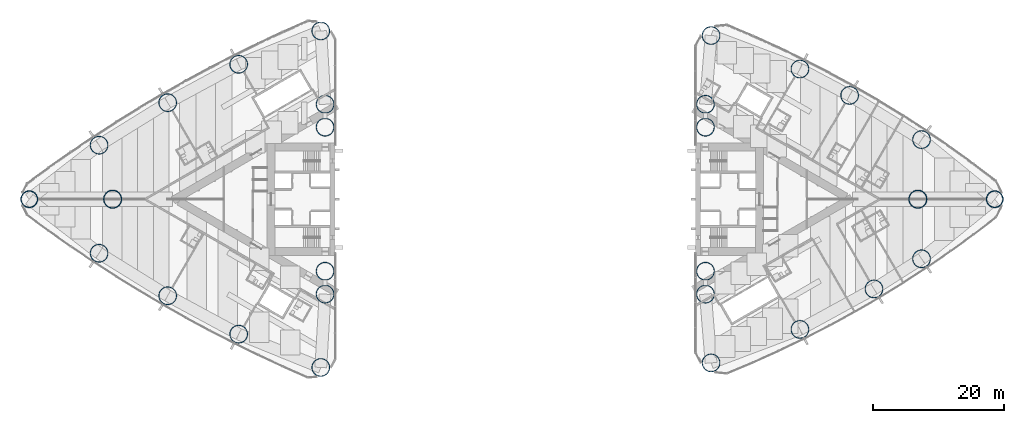
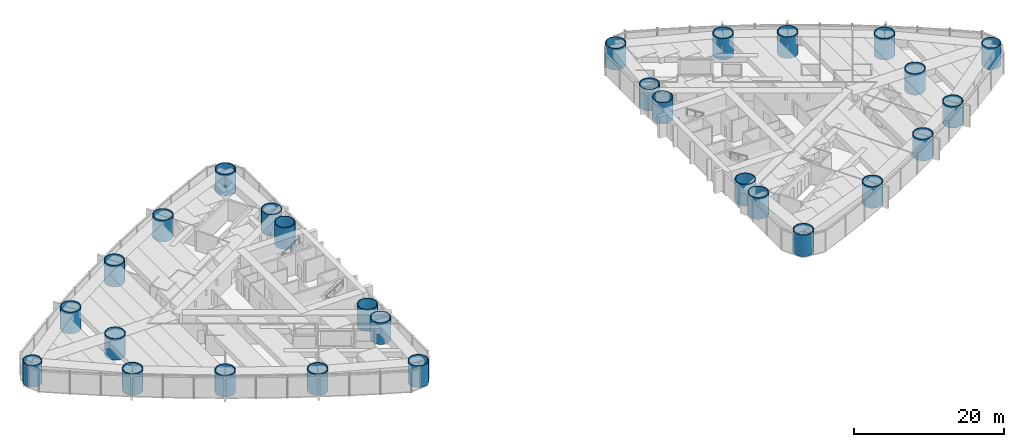
# One storey, part 1 of 19: 28 columns.
"""IFC4 building model written with IfcOpenShell, lengths in metres."""

import ifcopenshell
import ifcopenshell.guid

model = None  # the IFC model being written
_history = None  # IfcOwnerHistory: only IFC2X3 demands one
_inside = {}  # id of a spatial element -> (the spatial element, [elements in it])
_under = {}  # id of a project, library or spatial element -> (it, [spatial elements below it])
_declared = {}  # id of a project -> (the project, [libraries it declares])
_typed = {}  # id of a type object -> (the type object, [elements of that type])
_made_of = {}  # id of a material, layer set ... -> (it, [elements and type objects made of it])


def new_model(schema):
    """Start an empty IFC model of exactly this schema.

    Asked for "IFC4X3", IfcOpenShell would pick the latest addendum, in which some entities
    have other attributes; the version numbers below select the first issue.
    IFC2X3 requires an IfcOwnerHistory on every rooted entity: one is made here for all.
    """
    global model, _history
    if schema == "IFC4X3":
        model = ifcopenshell.file(schema_version=(4, 3, 0, 0))
    else:
        model = ifcopenshell.file(schema=schema)
    _inside.clear()
    _under.clear()
    _declared.clear()
    _typed.clear()
    _made_of.clear()
    _history = None
    if model.schema == "IFC2X3":
        org = make("IfcOrganization", Name="unknown")
        user = make(
            "IfcPersonAndOrganization",
            ThePerson=make("IfcPerson", FamilyName="unknown"),
            TheOrganization=org,
        )
        app = make(
            "IfcApplication",
            ApplicationDeveloper=org,
            Version="unknown",
            ApplicationFullName="unknown",
            ApplicationIdentifier="unknown",
        )
        _history = make(
            "IfcOwnerHistory",
            OwningUser=user,
            OwningApplication=app,
            ChangeAction="ADDED",
            CreationDate=0,
        )
    return model


def make(cls, **values):
    """One entity of the class cls with the attributes given. An attribute that is None is left unset."""
    return model.create_entity(
        cls, **{name: value for name, value in values.items() if value is not None}
    )


def rooted(cls, **values):
    """An entity with a GlobalId (a new one), such as an element, a storey or a relation."""
    return make(cls, GlobalId=ifcopenshell.guid.new(), OwnerHistory=_history, **values)


def si_unit(unit_type, name, prefix=None):
    """IfcSIUnit, for example si_unit("LENGTHUNIT", "METRE", prefix="MILLI")."""
    return make("IfcSIUnit", UnitType=unit_type, Prefix=prefix, Name=name)


def assignment(units):
    """IfcUnitAssignment: the units of a project."""
    return None if units is None else make("IfcUnitAssignment", Units=units)


def point(xyz):
    """IfcCartesianPoint."""
    return None if xyz is None else make("IfcCartesianPoint", Coordinates=xyz)


def direction(xyz):
    """IfcDirection."""
    return None if xyz is None else make("IfcDirection", DirectionRatios=xyz)


def frame(location, z_axis=None, x_axis=None):
    """IfcAxis2Placement3D, a coordinate frame: its origin and axes. An axis left out is left unset."""
    return make(
        "IfcAxis2Placement3D",
        Location=point(location),
        Axis=direction(z_axis),
        RefDirection=direction(x_axis),
    )


def frame_2d(location, x_axis=None):
    """IfcAxis2Placement2D, a coordinate frame in the plane: its origin and x axis."""
    return make(
        "IfcAxis2Placement2D", Location=point(location), RefDirection=direction(x_axis)
    )


def origin():
    """The frame at (0, 0, 0) with its axes left unset."""
    return frame((0.0, 0.0, 0.0))


def origin_2d():
    """The frame at (0, 0) in the plane with its x axis left unset."""
    return frame_2d((0.0, 0.0))


def place(relative_to, where):
    """IfcLocalPlacement: puts the frame where relative to a parent placement (None: the world)."""
    return make(
        "IfcLocalPlacement", PlacementRelTo=relative_to, RelativePlacement=where
    )


def context(
    kind, dimensions, precision=None, world=None, true_north=None, identifier=None
):
    """IfcGeometricRepresentationContext, for example the 3D "Model" context."""
    return make(
        "IfcGeometricRepresentationContext",
        ContextIdentifier=identifier,
        ContextType=kind,
        CoordinateSpaceDimension=dimensions,
        Precision=precision,
        WorldCoordinateSystem=world,
        TrueNorth=true_north,
    )


def subcontext(parent, identifier, kind, view, scale=None):
    """IfcGeometricRepresentationSubContext, for example "Body" below "Model"."""
    return make(
        "IfcGeometricRepresentationSubContext",
        ContextIdentifier=identifier,
        ContextType=kind,
        ParentContext=parent,
        TargetScale=scale,
        TargetView=view,
    )


def project(units=None, contexts=None):
    """IfcProject with its units and contexts."""
    return rooted(
        "IfcProject",
        Name="project",
        RepresentationContexts=contexts,
        UnitsInContext=assignment(units),
    )


def spatial(cls, under=None, at=None, **own):
    """A site, building, storey or space (cls), placed at a placement, below another one or the project."""
    s = rooted(cls, ObjectPlacement=at, **own)
    if under is not None:
        _under.setdefault(under.id(), (under, []))[1].append(s)
    return s


def profile(cls, at=None, kind="AREA", **sizes):
    """A parametric profile (cls). Its sizes go by their IFC names, for example OverallWidth=200.0."""
    return make(cls, ProfileType=kind, Position=at, **sizes)


def hollow_circle(**sizes):
    """IfcCircleHollowProfileDef."""
    return profile("IfcCircleHollowProfileDef", **sizes)


def extrude(swept, where, along, depth):
    """IfcExtrudedAreaSolid: the profile swept, set in the frame where, extruded along a direction by depth."""
    return make(
        "IfcExtrudedAreaSolid",
        SweptArea=swept,
        Position=where,
        ExtrudedDirection=direction(along),
        Depth=depth,
    )


def shape(context_of_items, identifier, shape_type, items):
    """IfcShapeRepresentation: the items that make up one representation, for example the "Body"."""
    return make(
        "IfcShapeRepresentation",
        ContextOfItems=context_of_items,
        RepresentationIdentifier=identifier,
        RepresentationType=shape_type,
        Items=items,
    )


def material(Name=None, Category=None):
    """IfcMaterial."""
    return make("IfcMaterial", Name=Name, Category=Category)


def material_profile(
    of_material, cross_section, Name=None, Category=None, Priority=None
):
    """IfcMaterialProfile: a cross section and its material."""
    return make(
        "IfcMaterialProfile",
        Name=Name,
        Material=of_material,
        Profile=cross_section,
        Priority=Priority,
        Category=Category,
    )


def profile_set(profiles, Name=None, composite=None):
    """IfcMaterialProfileSet."""
    return make(
        "IfcMaterialProfileSet",
        Name=Name,
        MaterialProfiles=profiles,
        CompositeProfile=composite,
    )


def made_of(thing, what):
    """Note that an element or type object is made of a material, layer set ...; save() writes the relation."""
    if what is not None:
        _made_of.setdefault(what.id(), (what, []))[1].append(thing)
    return thing


def type_object(cls, material=None, **own):
    """A type object (cls), such as IfcWallType, which elements share."""
    return made_of(rooted(cls, **own), material)


def element(
    cls,
    number,
    at=None,
    inside=None,
    cuts=None,
    type_object=None,
    material=None,
    context=None,
    identifier="Body",
    shape_type=None,
    held_by="IfcProductDefinitionShape",
    body=None,
    shapes=None,
    **own,
):
    """One element of the class cls, such as IfcWall. Its Tag is "e" and its number.

    at: its placement. inside: the storey or other place that contains it. cuts: it is an
    opening in that element (IfcRelVoidsElement). A single representation is given by context,
    identifier, shape_type and body (its items); several are given by shapes. held_by: the class
    of the entity that holds the representations. save() writes the other relations.
    """
    e = rooted(cls, Tag="e%d" % number, ObjectPlacement=at, **own)
    if body is not None:
        shapes = [shape(context, identifier, shape_type, body)]
    if shapes is not None:
        e.Representation = make(held_by, Representations=shapes)
    if inside is not None:
        _inside.setdefault(inside.id(), (inside, []))[1].append(e)
    if cuts is not None:
        rooted(
            "IfcRelVoidsElement", RelatingBuildingElement=cuts, RelatedOpeningElement=e
        )
    if type_object is not None:
        _typed.setdefault(type_object.id(), (type_object, []))[1].append(e)
    return made_of(e, material)


def aggregate(whole, parts):
    """IfcRelAggregates: a whole, such as a stair, and the parts it consists of."""
    return rooted("IfcRelAggregates", RelatingObject=whole, RelatedObjects=parts)


def save(model, path):
    """Write the relations noted so far, then the file.

    IfcRelAggregates (storeys below a building ...), IfcRelContainedInSpatialStructure (elements
    in a storey), IfcRelDefinesByType, IfcRelAssociatesMaterial and IfcRelDeclares: one each for
    every whole, place, type object, material and project.
    """
    for whole, parts in _under.values():
        aggregate(whole, parts)
    for where, things in _inside.values():
        rooted(
            "IfcRelContainedInSpatialStructure",
            RelatedElements=things,
            RelatingStructure=where,
        )
    for kind, things in _typed.values():
        rooted("IfcRelDefinesByType", RelatedObjects=things, RelatingType=kind)
    for what, things in _made_of.values():
        rooted("IfcRelAssociatesMaterial", RelatedObjects=things, RelatingMaterial=what)
    for by, libraries in _declared.values():
        rooted("IfcRelDeclares", RelatingContext=by, RelatedDefinitions=libraries)
    model.write(path)


model = new_model("IFC4")

# Units and contexts
model_context = context("Model", 3, precision=1e-05, world=origin(), true_north=direction((0.0, 1.0)))
body_context = subcontext(model_context, "Body", "Model", "MODEL_VIEW")
ifc_project = project(units=[si_unit("LENGTHUNIT", "METRE"), si_unit("AREAUNIT", "SQUARE_METRE"), si_unit("VOLUMEUNIT", "CUBIC_METRE"), si_unit("PLANEANGLEUNIT", "RADIAN"), si_unit("MASSUNIT", "GRAM", prefix="KILO")], contexts=[model_context])

# Site, building, storey
site_placement = place(None, origin())
site = spatial("IfcSite", under=ifc_project, at=site_placement, CompositionType="ELEMENT")
building_placement = place(site_placement, origin())
building = spatial("IfcBuilding", under=site, at=building_placement, Name="Lancet Gate Hotel", CompositionType="ELEMENT")
storey_placement = place(building_placement, frame((0.0, 0.0, 18.0)))
storey = spatial("IfcBuildingStorey", under=building, at=storey_placement, Name="L03", CompositionType="ELEMENT", Elevation=18.0)

# Columns
ifc_material_1 = material(Name="Composite filled tube, grade 460 plate, grade 80/95 fill", Category="composite")
ifc_material_profile_1 = material_profile(ifc_material_1, hollow_circle(Radius=1.39990234375, WallThickness=0.10009765625, at=origin_2d()), Name="CHS 2800x100")
ifc_profile_set_1 = profile_set([ifc_material_profile_1], Name="Composite filled tube, grade 460 plate, grade 80/95 fill")
column_type_1 = type_object("IfcColumnType", Name="Apex column CFT CHS 2800x100", PredefinedType="COLUMN", material=ifc_profile_set_1)
for number, where, z_axis, x_axis, name in (
    (1, (-61.5, 0.0, 0.0), (0.0, 0.0, 1.0), (1.0, 0.0, 0.0), "T1 column AX L03"),
    (2, (61.5, 0.0, 0.0), (0.0, 0.0, 1.0), (1.0, 0.0, 0.0), "T2 column AX L03"),
):
    element("IfcColumn", number, at=place(storey_placement, frame(where, z_axis=z_axis, x_axis=x_axis)), inside=storey, type_object=column_type_1, Name=name, PredefinedType="COLUMN", context=body_context, shape_type="SweptSolid", body=[
        extrude(hollow_circle(Radius=1.39990234375, WallThickness=0.10009765625, at=origin_2d()), origin(), (0.0, 0.0, 1.0), 3.5),
    ])
ifc_material_2 = material(Name="Composite filled tube, grade 460 plate, grade 80/95 fill", Category="composite")
ifc_material_profile_2 = material_profile(ifc_material_2, hollow_circle(Radius=1.300048828125, WallThickness=0.10009765625, at=origin_2d()), Name="CHS 2600x100")
ifc_profile_set_2 = profile_set([ifc_material_profile_2], Name="Composite filled tube, grade 460 plate, grade 80/95 fill")
column_type_2 = type_object("IfcColumnType", Name="Apex corner column CFT CHS 2600x100", PredefinedType="COLUMN", material=ifc_profile_set_2)
for number, where, z_axis, x_axis, name in (
    (3, (-74.235107421875, 0.0, 0.0), (0.0, 0.0, 1.0), (1.0, 0.0, 0.0), "T1 column CA L03"),
    (4, (73.2392578125, 0.0, 0.0), (0.0, 0.0, 1.0), (1.0, 0.0, 0.0), "T2 column CA L03"),
):
    element("IfcColumn", number, at=place(storey_placement, frame(where, z_axis=z_axis, x_axis=x_axis)), inside=storey, type_object=column_type_2, Name=name, PredefinedType="COLUMN", context=body_context, shape_type="SweptSolid", body=[
        extrude(hollow_circle(Radius=1.300048828125, WallThickness=0.10009765625, at=origin_2d()), origin(), (0.0, 0.0, 1.0), 3.5),
    ])
ifc_material_3 = material(Name="Composite filled tube, grade 460 plate, grade 80/95 fill", Category="composite")
ifc_material_profile_3 = material_profile(ifc_material_3, hollow_circle(Radius=1.39990234375, WallThickness=0.1201171875, at=origin_2d()), Name="CHS 2800x120")
ifc_profile_set_3 = profile_set([ifc_material_profile_3], Name="Composite filled tube, grade 460 plate, grade 80/95 fill")
column_type_3 = type_object("IfcColumnType", Name="Perimeter column CFT CHS 2800x120", PredefinedType="COLUMN", material=ifc_profile_set_3)
for number, where, z_axis, x_axis, name in (
    (5, (-29.703369140625, -25.70263671875, 0.0), (0.0, 0.0, 1.0), (1.0, 0.0, 0.0), "T1 column CN L03"),
    (6, (-29.703369140625, 25.70263671875, 0.0), (0.0, 0.0, 1.0), (1.0, 0.0, 0.0), "T1 column CS L03"),
    (7, (-29.050048828125, -11.0, 0.0), (0.0, 0.0, 1.0), (1.0, 0.0, 0.0), "T1 column IN L03"),
    (8, (-29.050048828125, 11.0, 0.0), (0.0, 0.0, 1.0), (1.0, 0.0, 0.0), "T1 column IS L03"),
    (9, (-29.050048828125, 14.5, 0.0), (0.0, 0.0, 1.0), (1.0, 0.0, 0.0), "T1 column IT L03"),
    (10, (-29.050048828125, -14.5, 0.0), (0.0, 0.0, 1.0), (1.0, 0.0, 0.0), "T1 column JT L03"),
    (11, (-63.57177734375, -8.255126953125, 0.0), (0.0, 0.0, 1.0), (1.0, 0.0, 0.0), "T1 column ON1 L03"),
    (12, (-53.090087890625, -14.744873046875, 0.0), (0.0, 0.0, 1.0), (1.0, 0.0, 0.0), "T1 column ON2 L03"),
    (13, (-42.2451171875, -20.607421875, 0.0), (0.0, 0.0, 1.0), (1.0, 0.0, 0.0), "T1 column ON3 L03"),
    (14, (-42.2451171875, 20.607421875, 0.0), (0.0, 0.0, 1.0), (1.0, 0.0, 0.0), "T1 column OS1 L03"),
    (15, (-53.090087890625, 14.744873046875, 0.0), (0.0, 0.0, 1.0), (1.0, 0.0, 0.0), "T1 column OS2 L03"),
    (16, (-63.57177734375, 8.255126953125, 0.0), (0.0, 0.0, 1.0), (1.0, 0.0, 0.0), "T1 column OS3 L03"),
    (17, (29.9111328125, 25.00244140625, 0.0), (0.0, 0.0, 1.0), (1.0, 0.0, 0.0), "T2 column CN L03"),
    (18, (29.9111328125, -25.00244140625, 0.0), (0.0, 0.0, 1.0), (1.0, 0.0, 0.0), "T2 column CS L03"),
    (19, (29.050048828125, 11.0, 0.0), (0.0, 0.0, 1.0), (1.0, 0.0, 0.0), "T2 column IN L03"),
    (20, (29.050048828125, -11.0, 0.0), (0.0, 0.0, 1.0), (1.0, 0.0, 0.0), "T2 column IS L03"),
    (21, (29.050048828125, -14.5, 0.0), (0.0, 0.0, 1.0), (1.0, 0.0, 0.0), "T2 column IT L03"),
    (22, (29.050048828125, 14.5, 0.0), (0.0, 0.0, 1.0), (1.0, 0.0, 0.0), "T2 column JT L03"),
    (23, (62.059326171875, 9.10498046875, 0.0), (0.0, 0.0, 1.0), (1.0, 0.0, 0.0), "T2 column ON1 L03"),
    (24, (51.07763671875, 15.8583984375, 0.0), (0.0, 0.0, 1.0), (1.0, 0.0, 0.0), "T2 column ON2 L03"),
    (25, (43.484130859375, 19.886474609375, 0.0), (0.0, 0.0, 1.0), (1.0, 0.0, 0.0), "T2 column ON3 L03"),
    (26, (43.484130859375, -19.886474609375, 0.0), (0.0, 0.0, 1.0), (1.0, 0.0, 0.0), "T2 column OS1 L03"),
    (27, (54.795166015625, -13.70068359375, 0.0), (0.0, 0.0, 1.0), (1.0, 0.0, 0.0), "T2 column OS2 L03"),
    (28, (62.059326171875, -9.10498046875, 0.0), (0.0, 0.0, 1.0), (1.0, 0.0, 0.0), "T2 column OS3 L03"),
):
    element("IfcColumn", number, at=place(storey_placement, frame(where, z_axis=z_axis, x_axis=x_axis)), inside=storey, type_object=column_type_3, Name=name, PredefinedType="COLUMN", context=body_context, shape_type="SweptSolid", body=[
        extrude(hollow_circle(Radius=1.39990234375, WallThickness=0.1201171875, at=origin_2d()), origin(), (0.0, 0.0, 1.0), 3.5),
    ])

save(model, "model.ifc")
